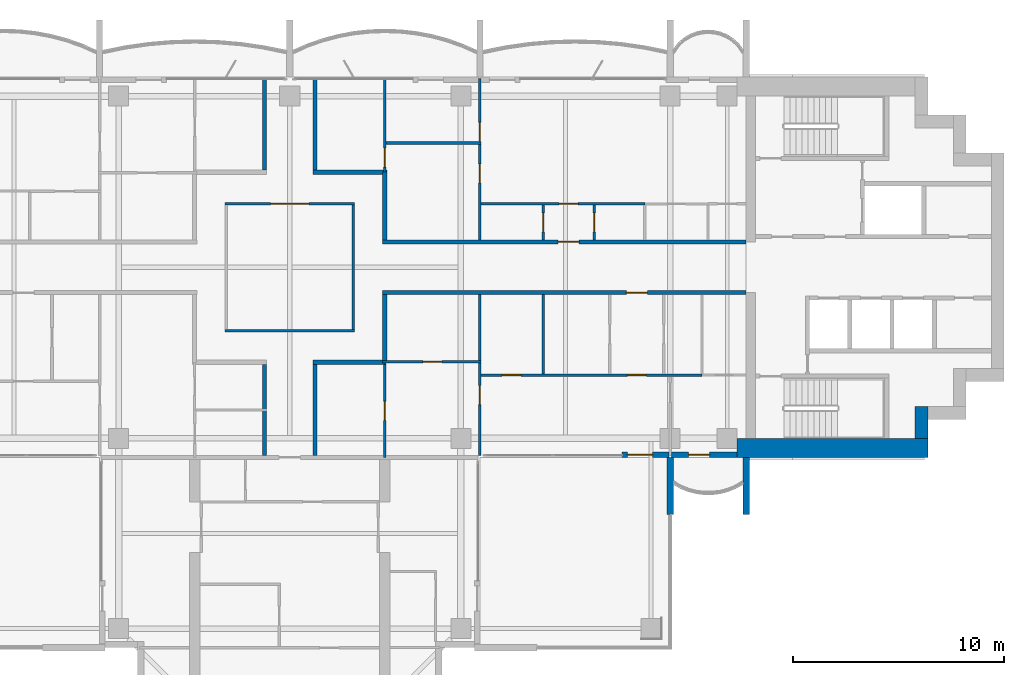
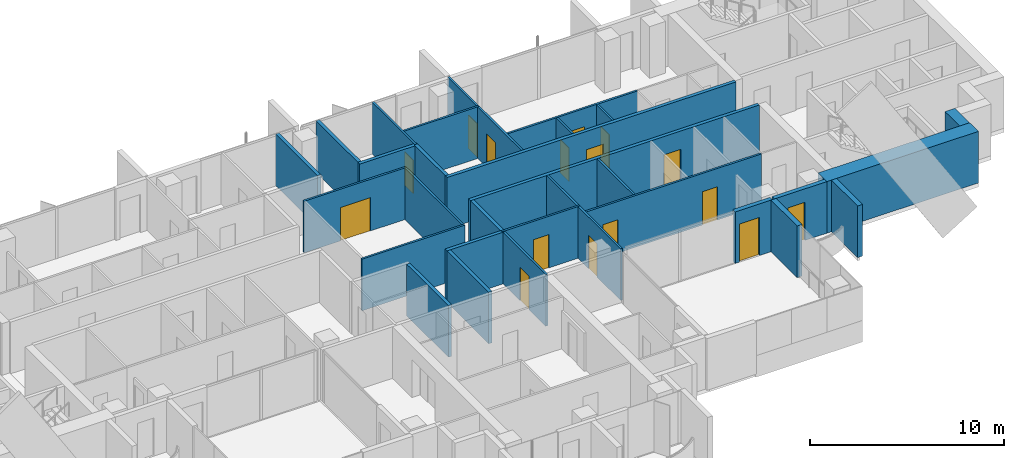
# One storey, part 11 of 17: 30 walls, 16 doors, 16 openings.
"""IFC4 building model written with IfcOpenShell, lengths in metres."""

from ifc_helpers import new_model, si_unit, direction, frame, frame_2d, origin, place, context, subcontext, project, spatial, rectangle, extrude, material, layer, layer_set, type_object, element, fill, save


model = new_model("IFC4")

# Units and contexts
model_context = context("Model", 3, precision=1e-05, world=origin(), true_north=direction((0.0, 1.0)))
body_context = subcontext(model_context, "Body", "Model", "MODEL_VIEW")
ifc_project = project(units=[si_unit("LENGTHUNIT", "METRE"), si_unit("AREAUNIT", "SQUARE_METRE"), si_unit("VOLUMEUNIT", "CUBIC_METRE"), si_unit("PLANEANGLEUNIT", "RADIAN"), si_unit("MASSUNIT", "GRAM", prefix="KILO")], contexts=[model_context])

# Site, building, storey
site_placement = place(None, origin())
site = spatial("IfcSite", under=ifc_project, at=site_placement, CompositionType="ELEMENT")
building_placement = place(site_placement, origin())
building = spatial("IfcBuilding", under=site, at=building_placement, Name="Perihelion Cross Residences", CompositionType="ELEMENT")
storey_placement = place(building_placement, frame((0.0, 0.0, 208.60009765625)))
storey = spatial("IfcBuildingStorey", under=building, at=storey_placement, Name="L52", CompositionType="ELEMENT", Elevation=208.60009765625)

# Wall, opening, door
ifc_material_1 = material(Name="Plasterboard partition")
ifc_layer_1 = layer(ifc_material_1, 0.199951171875)
ifc_layer_set_1 = layer_set([ifc_layer_1], Name="Apartment separation wall 200")
wall_type_1 = type_object("IfcWallType", Name="Apartment separation wall 200", PredefinedType="PARTITIONING", material=ifc_layer_set_1)
wall_1_placement = place(storey_placement, frame((4.39990234375, 1.199951171875, 0.0), z_axis=(0.0, 0.0, 1.0), x_axis=(1.0, 0.0, 0.0)))
wall_1 = element("IfcWall", 1, at=wall_1_placement, inside=storey, type_object=wall_type_1, Name="Partition L52 W005", PredefinedType="PARTITIONING", context=body_context, shape_type="SweptSolid", body=[
    extrude(rectangle(XDim=17.2001953125, YDim=0.199951171875, at=frame_2d((8.60009765625, 0.0))), origin(), (0.0, 0.0, 1.0), 3.25),
])
opening_1_placement = place(wall_1_placement, frame((8.300048828125, 0.0, 0.0)))
opening_1 = element("IfcOpeningElement", 2, at=opening_1_placement, cuts=wall_1, Name="Opening L52.A41", PredefinedType="OPENING", context=body_context, shape_type="SweptSolid", body=[
    extrude(rectangle(XDim=1.0, YDim=2.10009765625, at=frame_2d((0.5, 1.050048828125))), frame((0.0, 0.10986328125, 0.0), z_axis=(0.0, -1.0, 0.0), x_axis=(1.0, 0.0, 0.0)), (0.0, 0.0, 1.0), 0.219970703125),
])
ifc_material_2 = material(Name="Timber door leaf", Category="wood")
door_type_1 = type_object("IfcDoorType", Name="Flat entrance door 1000 x 2100", OperationType="SINGLE_SWING_LEFT", PredefinedType="DOOR", material=ifc_material_2)
door_1_placement = place(opening_1_placement, origin())
door_1 = element("IfcDoor", 3, at=door_1_placement, inside=storey, type_object=door_type_1, Name="Door L52.A41", OperationType="SINGLE_SWING_RIGHT", OverallHeight=2.10009765625, OverallWidth=1.0, PredefinedType="DOOR", context=body_context, shape_type="SweptSolid", body=[
    extrude(rectangle(XDim=1.0, YDim=2.10009765625, at=frame_2d((0.5, 1.050048828125))), frame((0.0, 0.02490234375, 0.0), z_axis=(0.0, -1.0, 0.0), x_axis=(1.0, 0.0, 0.0)), (0.0, 0.0, 1.0), 0.050048828125),
])
fill(opening_1, door_1)

# Walls
wall_2_placement = place(storey_placement, frame((4.5, 4.5, 0.0), z_axis=(0.0, 0.0, 1.0), x_axis=(0.0, -1.0, 0.0)))
element("IfcWall", 4, at=wall_2_placement, inside=storey, type_object=wall_type_1, Name="Partition L52 W006", PredefinedType="PARTITIONING", context=body_context, shape_type="SweptSolid", body=[
    extrude(rectangle(XDim=3.199951171875, YDim=0.199951171875, at=frame_2d((1.60009765625, 0.0))), origin(), (0.0, 0.0, 1.0), 3.25),
])
wall_3_placement = place(storey_placement, frame((1.199951171875, 8.919921875, 0.0), z_axis=(0.0, 0.0, 1.0), x_axis=(0.0, -1.0, 0.0)))
element("IfcWall", 5, at=wall_3_placement, inside=storey, type_object=wall_type_1, Name="Partition L52 W007", PredefinedType="PARTITIONING", context=body_context, shape_type="SweptSolid", body=[
    extrude(rectangle(XDim=4.31982421875, YDim=0.199951171875, at=frame_2d((2.159912109375, 0.0))), origin(), (0.0, 0.0, 1.0), 3.25),
])
wall_4_placement = place(storey_placement, frame((1.10009765625, 4.5, 0.0), z_axis=(0.0, 0.0, 1.0), x_axis=(1.0, 0.0, 0.0)))
element("IfcWall", 6, at=wall_4_placement, inside=storey, type_object=wall_type_1, Name="Partition L52 W008", PredefinedType="PARTITIONING", context=body_context, shape_type="SweptSolid", body=[
    extrude(rectangle(XDim=3.5, YDim=0.199951171875, at=frame_2d((1.75, 0.0))), origin(), (0.0, 0.0, 1.0), 3.25),
])

# Wall, opening, door
wall_5_placement = place(storey_placement, frame((21.60009765625, -1.199951171875, 0.0), z_axis=(0.0, 0.0, 1.0), x_axis=(-1.0, 0.0, 0.0)))
wall_5 = element("IfcWall", 7, at=wall_5_placement, inside=storey, type_object=wall_type_1, Name="Partition L52 W009", PredefinedType="PARTITIONING", context=body_context, shape_type="SweptSolid", body=[
    extrude(rectangle(XDim=17.2001953125, YDim=0.199951171875, at=frame_2d((8.60009765625, 0.0))), origin(), (0.0, 0.0, 1.0), 3.25),
])
opening_2_placement = place(wall_5_placement, frame((4.675048828125, 0.0, 0.0)))
opening_2 = element("IfcOpeningElement", 8, at=opening_2_placement, cuts=wall_5, Name="Opening L52.A42", PredefinedType="OPENING", context=body_context, shape_type="SweptSolid", body=[
    extrude(rectangle(XDim=1.0, YDim=2.10009765625, at=frame_2d((0.5, 1.050048828125))), frame((0.0, 0.10986328125, 0.0), z_axis=(0.0, -1.0, 0.0), x_axis=(1.0, 0.0, 0.0)), (0.0, 0.0, 1.0), 0.219970703125),
])
door_2_placement = place(opening_2_placement, origin())
door_2 = element("IfcDoor", 9, at=door_2_placement, inside=storey, type_object=door_type_1, Name="Door L52.A42", OperationType="SINGLE_SWING_RIGHT", OverallHeight=2.10009765625, OverallWidth=1.0, PredefinedType="DOOR", context=body_context, shape_type="SweptSolid", body=[
    extrude(rectangle(XDim=1.0, YDim=2.10009765625, at=frame_2d((0.5, 1.050048828125))), frame((0.0, 0.02490234375, 0.0), z_axis=(0.0, -1.0, 0.0), x_axis=(1.0, 0.0, 0.0)), (0.0, 0.0, 1.0), 0.050048828125),
])
fill(opening_2, door_2)

# Walls
wall_6_placement = place(storey_placement, frame((4.5, -1.300048828125, 0.0), z_axis=(0.0, 0.0, 1.0), x_axis=(0.0, -1.0, 0.0)))
element("IfcWall", 10, at=wall_6_placement, inside=storey, type_object=wall_type_1, Name="Partition L52 W010", PredefinedType="PARTITIONING", context=body_context, shape_type="SweptSolid", body=[
    extrude(rectangle(XDim=3.115966796875, YDim=0.199951171875, at=frame_2d((1.55810546875, 0.0))), origin(), (0.0, 0.0, 1.0), 3.25),
])
wall_7_placement = place(storey_placement, frame((4.56005859375, -4.5, 0.0), z_axis=(0.0, 0.0, 1.0), x_axis=(-1.0, 0.0, 0.0)))
element("IfcWall", 11, at=wall_7_placement, inside=storey, type_object=wall_type_1, Name="Partition L52 W011", PredefinedType="PARTITIONING", context=body_context, shape_type="SweptSolid", body=[
    extrude(rectangle(XDim=3.4599609375, YDim=0.199951171875, at=frame_2d((1.72998046875, 0.0))), origin(), (0.0, 0.0, 1.0), 3.25),
])
wall_8_placement = place(storey_placement, frame((1.199951171875, -4.60009765625, 0.0), z_axis=(0.0, 0.0, 1.0), x_axis=(0.0, -1.0, 0.0)))
element("IfcWall", 12, at=wall_8_placement, inside=storey, type_object=wall_type_1, Name="Partition L52 W012", PredefinedType="PARTITIONING", context=body_context, shape_type="SweptSolid", body=[
    extrude(rectangle(XDim=4.2998046875, YDim=0.199951171875, at=frame_2d((2.14990234375, 0.0))), origin(), (0.0, 0.0, 1.0), 3.25),
])
wall_9_placement = place(storey_placement, frame((-1.199951171875, 4.60009765625, 0.0), z_axis=(0.0, 0.0, 1.0), x_axis=(0.0, 1.0, 0.0)))
element("IfcWall", 13, at=wall_9_placement, inside=storey, type_object=wall_type_1, Name="Partition L52 W016", PredefinedType="PARTITIONING", context=body_context, shape_type="SweptSolid", body=[
    extrude(rectangle(XDim=4.31982421875, YDim=0.199951171875, at=frame_2d((2.159912109375, 0.0))), origin(), (0.0, 0.0, 1.0), 3.25),
])
wall_10_placement = place(storey_placement, frame((-1.199951171875, -8.89990234375, 0.0), z_axis=(0.0, 0.0, 1.0), x_axis=(0.0, 1.0, 0.0)))
element("IfcWall", 14, at=wall_10_placement, inside=storey, type_object=wall_type_1, Name="Partition L52 W019", PredefinedType="PARTITIONING", context=body_context, shape_type="SweptSolid", body=[
    extrude(rectangle(XDim=4.2998046875, YDim=0.199951171875, at=frame_2d((2.14990234375, 0.0))), origin(), (0.0, 0.0, 1.0), 3.25),
])

# Wall, opening, door
ifc_material_3 = material(Name="Concrete C30/37, bronze-clad", Category="concrete")
ifc_layer_2 = layer(ifc_material_3, 0.25)
ifc_layer_set_2 = layer_set([ifc_layer_2], Name="Bronze-clad pier wall 250")
wall_type_2 = type_object("IfcWallType", Name="Bronze-clad pier wall 250", PredefinedType="SOLIDWALL", material=ifc_layer_set_2)
wall_11_placement = place(storey_placement, frame((15.72509765625, -8.875, 0.0), z_axis=(0.0, 0.0, 1.0), x_axis=(1.0, 0.0, 0.0)))
wall_11 = element("IfcWall", 15, at=wall_11_placement, inside=storey, type_object=wall_type_2, Name="Wall FW1 L52 east side south bay 1 pier", PredefinedType="SOLIDWALL", context=body_context, shape_type="SweptSolid", body=[
    extrude(rectangle(XDim=2.21484375, YDim=0.25, at=frame_2d((1.107421875, 0.0))), origin(), (0.0, 0.0, 1.0), 3.25),
])
opening_3_placement = place(wall_11_placement, frame((0.25, 0.0, 0.0)))
opening_3 = element("IfcOpeningElement", 16, at=opening_3_placement, cuts=wall_11, Name="Opening L52.E13", PredefinedType="OPENING", context=body_context, shape_type="SweptSolid", body=[
    extrude(rectangle(XDim=1.199951171875, YDim=2.39990234375, at=frame_2d((0.60009765625, 1.199951171875))), frame((0.0, 0.135009765625, 0.0), z_axis=(0.0, -1.0, 0.0), x_axis=(1.0, 0.0, 0.0)), (0.0, 0.0, 1.0), 0.27001953125),
])
ifc_material_4 = material(Name="Bronze anodised aluminium, glazed", Category="aluminium")
door_type_2 = type_object("IfcDoorType", Name="Balcony door 1200 x 2400", OperationType="NOTDEFINED", PredefinedType="DOOR", material=ifc_material_4)
door_3_placement = place(opening_3_placement, origin())
door_3 = element("IfcDoor", 17, at=door_3_placement, inside=storey, type_object=door_type_2, Name="Door L52.E13 east side south bay 1", OperationType="SINGLE_SWING_LEFT", OverallHeight=2.39990234375, OverallWidth=1.199951171875, PredefinedType="DOOR", context=body_context, shape_type="SweptSolid", body=[
    extrude(rectangle(XDim=1.199951171875, YDim=2.39990234375, at=frame_2d((0.60009765625, 1.199951171875))), frame((0.0, 0.02490234375, 0.0), z_axis=(0.0, -1.0, 0.0), x_axis=(1.0, 0.0, 0.0)), (0.0, 0.0, 1.0), 0.050048828125),
])
fill(opening_3, door_3)

wall_12_placement = place(storey_placement, frame((18.06005859375, -8.875, 0.0), z_axis=(0.0, 0.0, 1.0), x_axis=(1.0, 0.0, 0.0)))
wall_12 = element("IfcWall", 18, at=wall_12_placement, inside=storey, type_object=wall_type_2, Name="Wall FW1 L52 east side south bay 2 pier", PredefinedType="SOLIDWALL", context=body_context, shape_type="SweptSolid", body=[
    extrude(rectangle(XDim=3.114990234375, YDim=0.25, at=frame_2d((1.5576171875, 0.0))), origin(), (0.0, 0.0, 1.0), 3.25),
])
opening_4_placement = place(wall_12_placement, frame((0.81494140625, 0.0, 0.0)))
opening_4 = element("IfcOpeningElement", 19, at=opening_4_placement, cuts=wall_12, Name="Opening L52.E14", PredefinedType="OPENING", context=body_context, shape_type="SweptSolid", body=[
    extrude(rectangle(XDim=1.0, YDim=2.39990234375, at=frame_2d((0.5, 1.199951171875))), frame((0.0, 0.135009765625, 0.0), z_axis=(0.0, -1.0, 0.0), x_axis=(1.0, 0.0, 0.0)), (0.0, 0.0, 1.0), 0.27001953125),
])
ifc_material_5 = material(Name="Bronze anodised aluminium, glazed", Category="aluminium")
door_type_3 = type_object("IfcDoorType", Name="Balcony door 1000 x 2400", OperationType="NOTDEFINED", PredefinedType="DOOR", material=ifc_material_5)
door_4_placement = place(opening_4_placement, origin())
door_4 = element("IfcDoor", 20, at=door_4_placement, inside=storey, type_object=door_type_3, Name="Door L52.E14 east side south bay 2", OperationType="SINGLE_SWING_RIGHT", OverallHeight=2.39990234375, OverallWidth=1.0, PredefinedType="DOOR", context=body_context, shape_type="SweptSolid", body=[
    extrude(rectangle(XDim=1.0, YDim=2.39990234375, at=frame_2d((0.5, 1.199951171875))), frame((0.0, 0.02490234375, 0.0), z_axis=(0.0, -1.0, 0.0), x_axis=(1.0, 0.0, 0.0)), (0.0, 0.0, 1.0), 0.050048828125),
])
fill(opening_4, door_4)

# Walls
ifc_material_6 = material(Name="Concrete C60/75", Category="concrete")
ifc_layer_3 = layer(ifc_material_6, 0.60009765625)
ifc_layer_set_3 = layer_set([ifc_layer_3], Name="Core wall, outer 600")
wall_type_3 = type_object("IfcWallType", Name="Core wall, outer 600", PredefinedType="SHEAR", material=ifc_layer_set_3)
wall_13_placement = place(storey_placement, frame((29.89990234375, -8.10009765625, 0.0), z_axis=(0.0, 0.0, 1.0), x_axis=(0.0, 1.0, 0.0)))
element("IfcWall", 21, at=wall_13_placement, inside=storey, type_object=wall_type_3, Name="East core core wall, outer", PredefinedType="SHEAR", context=body_context, shape_type="SweptSolid", body=[
    extrude(rectangle(XDim=1.5, YDim=0.60009765625, at=frame_2d((0.75, 0.0))), origin(), (0.0, 0.0, 1.0), 3.25),
])
ifc_material_7 = material(Name="Concrete C60/75", Category="concrete")
ifc_layer_4 = layer(ifc_material_7, 0.89990234375)
ifc_layer_set_4 = layer_set([ifc_layer_4], Name="Core wall, outer 900")
wall_type_4 = type_object("IfcWallType", Name="Core wall, outer 900", PredefinedType="SHEAR", material=ifc_layer_set_4)
wall_14_placement = place(storey_placement, frame((21.175048828125, -8.550048828125, 0.0), z_axis=(0.0, 0.0, 1.0), x_axis=(1.0, 0.0, 0.0)))
element("IfcWall", 22, at=wall_14_placement, inside=storey, type_object=wall_type_4, Name="East core core wall, outer", PredefinedType="SHEAR", context=body_context, shape_type="SweptSolid", body=[
    extrude(rectangle(XDim=9.02490234375, YDim=0.89990234375, at=frame_2d((4.512451171875, 0.0))), origin(), (0.0, 0.0, 1.0), 3.25),
])
ifc_material_8 = material(Name="Plasterboard partition")
ifc_layer_5 = layer(ifc_material_8, 0.1201171875)
ifc_layer_set_5 = layer_set([ifc_layer_5], Name="Partition wall 120")
wall_type_5 = type_object("IfcWallType", Name="Partition wall 120", PredefinedType="PARTITIONING", material=ifc_layer_set_5)
wall_15_placement = place(storey_placement, frame((-3.06005859375, -3.0, 0.0), z_axis=(0.0, 0.0, 1.0), x_axis=(1.0, 0.0, 0.0)))
element("IfcWall", 23, at=wall_15_placement, inside=storey, type_object=wall_type_5, Name="Partition L52 W001", PredefinedType="PARTITIONING", context=body_context, shape_type="SweptSolid", body=[
    extrude(rectangle(XDim=6.1201171875, YDim=0.1201171875, at=frame_2d((3.06005859375, 0.0))), origin(), (0.0, 0.0, 1.0), 3.25),
])
wall_16_placement = place(storey_placement, frame((3.0, -2.93994140625, 0.0), z_axis=(0.0, 0.0, 1.0), x_axis=(0.0, 1.0, 0.0)))
element("IfcWall", 24, at=wall_16_placement, inside=storey, type_object=wall_type_5, Name="Partition L52 W002", PredefinedType="PARTITIONING", context=body_context, shape_type="SweptSolid", body=[
    extrude(rectangle(XDim=5.8798828125, YDim=0.1201171875, at=frame_2d((2.93994140625, 0.0))), origin(), (0.0, 0.0, 1.0), 3.25),
])

# Wall, opening, door
wall_17_placement = place(storey_placement, frame((3.06005859375, 3.0, 0.0), z_axis=(0.0, 0.0, 1.0), x_axis=(-1.0, 0.0, 0.0)))
wall_17 = element("IfcWall", 25, at=wall_17_placement, inside=storey, type_object=wall_type_5, Name="Partition L52 W003", PredefinedType="PARTITIONING", context=body_context, shape_type="SweptSolid", body=[
    extrude(rectangle(XDim=6.1201171875, YDim=0.1201171875, at=frame_2d((3.06005859375, 0.0))), origin(), (0.0, 0.0, 1.0), 3.25),
])
opening_5_placement = place(wall_17_placement, frame((2.159912109375, 0.0, 0.0)))
opening_5 = element("IfcOpeningElement", 26, at=opening_5_placement, cuts=wall_17, Name="Opening L52.A01", PredefinedType="OPENING", context=body_context, shape_type="SweptSolid", body=[
    extrude(rectangle(XDim=1.800048828125, YDim=2.10009765625, at=frame_2d((0.89990234375, 1.050048828125))), frame((0.0, 0.070068359375, 0.0), z_axis=(0.0, -1.0, 0.0), x_axis=(1.0, 0.0, 0.0)), (0.0, 0.0, 1.0), 0.14013671875),
])
ifc_material_9 = material(Name="Glazed timber door leaf", Category="wood")
door_type_4 = type_object("IfcDoorType", Name="Interior double leaf door 1800 x 2100", OperationType="DOUBLE_DOOR_SINGLE_SWING", PredefinedType="DOOR", material=ifc_material_9)
door_5_placement = place(opening_5_placement, origin())
door_5 = element("IfcDoor", 27, at=door_5_placement, inside=storey, type_object=door_type_4, Name="Door L52.A01", OperationType="SINGLE_SWING_LEFT", OverallHeight=2.10009765625, OverallWidth=1.800048828125, PredefinedType="DOOR", context=body_context, shape_type="SweptSolid", body=[
    extrude(rectangle(XDim=1.800048828125, YDim=2.10009765625, at=frame_2d((0.89990234375, 1.050048828125))), frame((0.0, 0.02490234375, 0.0), z_axis=(0.0, -1.0, 0.0), x_axis=(1.0, 0.0, 0.0)), (0.0, 0.0, 1.0), 0.050048828125),
])
fill(opening_5, door_5)

wall_18_placement = place(storey_placement, frame((12.0, 2.93994140625, 0.0), z_axis=(0.0, 0.0, 1.0), x_axis=(0.0, -1.0, 0.0)))
wall_18 = element("IfcWall", 28, at=wall_18_placement, inside=storey, type_object=wall_type_5, Name="Partition L52 W022", PredefinedType="PARTITIONING", context=body_context, shape_type="SweptSolid", body=[
    extrude(rectangle(XDim=1.639892578125, YDim=0.1201171875, at=frame_2d((0.81982421875, 0.0))), origin(), (0.0, 0.0, 1.0), 3.25),
])
opening_6_placement = place(wall_18_placement, frame((0.3701171875, 0.0, 0.0)))
opening_6 = element("IfcOpeningElement", 29, at=opening_6_placement, cuts=wall_18, Name="Opening L52.A05", PredefinedType="OPENING", context=body_context, shape_type="SweptSolid", body=[
    extrude(rectangle(XDim=0.89990234375, YDim=2.10009765625, at=frame_2d((0.449951171875, 1.050048828125))), frame((0.0, 0.070068359375, 0.0), z_axis=(0.0, -1.0, 0.0), x_axis=(1.0, 0.0, 0.0)), (0.0, 0.0, 1.0), 0.14013671875),
])
ifc_material_10 = material(Name="Timber door leaf", Category="wood")
door_type_5 = type_object("IfcDoorType", Name="Interior room door 900 x 2100", OperationType="SINGLE_SWING_LEFT", PredefinedType="DOOR", material=ifc_material_10)
door_6_placement = place(opening_6_placement, origin())
door_6 = element("IfcDoor", 30, at=door_6_placement, inside=storey, type_object=door_type_5, Name="Door L52.A05", OperationType="SINGLE_SWING_RIGHT", OverallHeight=2.10009765625, OverallWidth=0.89990234375, PredefinedType="DOOR", context=body_context, shape_type="SweptSolid", body=[
    extrude(rectangle(XDim=0.89990234375, YDim=2.10009765625, at=frame_2d((0.449951171875, 1.050048828125))), frame((0.0, 0.02490234375, 0.0), z_axis=(0.0, -1.0, 0.0), x_axis=(1.0, 0.0, 0.0)), (0.0, 0.0, 1.0), 0.050048828125),
])
fill(opening_6, door_6)

wall_19_placement = place(storey_placement, frame((8.93994140625, 3.0, 0.0), z_axis=(0.0, 0.0, 1.0), x_axis=(1.0, 0.0, 0.0)))
wall_19 = element("IfcWall", 31, at=wall_19_placement, inside=storey, type_object=wall_type_5, Name="Partition L52 W023", PredefinedType="PARTITIONING", context=body_context, shape_type="SweptSolid", body=[
    extrude(rectangle(XDim=7.860107421875, YDim=0.1201171875, at=frame_2d((3.93017578125, 0.0))), origin(), (0.0, 0.0, 1.0), 3.25),
])
opening_7_placement = place(wall_19_placement, frame((3.81005859375, 0.0, 0.0)))
opening_7 = element("IfcOpeningElement", 32, at=opening_7_placement, cuts=wall_19, Name="Opening L52.A08", PredefinedType="OPENING", context=body_context, shape_type="SweptSolid", body=[
    extrude(rectangle(XDim=0.89990234375, YDim=2.10009765625, at=frame_2d((0.449951171875, 1.050048828125))), frame((0.0, 0.070068359375, 0.0), z_axis=(0.0, -1.0, 0.0), x_axis=(1.0, 0.0, 0.0)), (0.0, 0.0, 1.0), 0.14013671875),
])
door_7_placement = place(opening_7_placement, origin())
door_7 = element("IfcDoor", 33, at=door_7_placement, inside=storey, type_object=door_type_5, Name="Door L52.A08", OperationType="SINGLE_SWING_LEFT", OverallHeight=2.10009765625, OverallWidth=0.89990234375, PredefinedType="DOOR", context=body_context, shape_type="SweptSolid", body=[
    extrude(rectangle(XDim=0.89990234375, YDim=2.10009765625, at=frame_2d((0.449951171875, 1.050048828125))), frame((0.0, 0.02490234375, 0.0), z_axis=(0.0, -1.0, 0.0), x_axis=(1.0, 0.0, 0.0)), (0.0, 0.0, 1.0), 0.050048828125),
])
fill(opening_7, door_7)

# Wall, openings, doors
wall_20_placement = place(storey_placement, frame((9.0, 1.300048828125, 0.0), z_axis=(0.0, 0.0, 1.0), x_axis=(0.0, 1.0, 0.0)))
wall_20 = element("IfcWall", 34, at=wall_20_placement, inside=storey, type_object=wall_type_5, Name="Partition L52 W024", PredefinedType="PARTITIONING", context=body_context, shape_type="SweptSolid", body=[
    extrude(rectangle(XDim=7.619873046875, YDim=0.1201171875, at=frame_2d((3.81005859375, 0.0))), origin(), (0.0, 0.0, 1.0), 3.25),
])
opening_8_placement = place(wall_20_placement, frame((2.68994140625, 0.0, 0.0)))
opening_8 = element("IfcOpeningElement", 35, at=opening_8_placement, cuts=wall_20, Name="Opening L52.A04", PredefinedType="OPENING", context=body_context, shape_type="SweptSolid", body=[
    extrude(rectangle(XDim=0.89990234375, YDim=2.10009765625, at=frame_2d((0.449951171875, 1.050048828125))), frame((0.0, 0.070068359375, 0.0), z_axis=(0.0, -1.0, 0.0), x_axis=(1.0, 0.0, 0.0)), (0.0, 0.0, 1.0), 0.14013671875),
])
opening_9_placement = place(wall_20_placement, frame((4.64990234375, 0.0, 0.0)))
opening_9 = element("IfcOpeningElement", 36, at=opening_9_placement, cuts=wall_20, Name="Opening L52.A06", PredefinedType="OPENING", context=body_context, shape_type="SweptSolid", body=[
    extrude(rectangle(XDim=0.89990234375, YDim=2.10009765625, at=frame_2d((0.449951171875, 1.050048828125))), frame((0.0, 0.070068359375, 0.0), z_axis=(0.0, -1.0, 0.0), x_axis=(1.0, 0.0, 0.0)), (0.0, 0.0, 1.0), 0.14013671875),
])
door_8_placement = place(opening_8_placement, origin())
door_8 = element("IfcDoor", 37, at=door_8_placement, inside=storey, type_object=door_type_5, Name="Door L52.A04", OperationType="SINGLE_SWING_RIGHT", OverallHeight=2.10009765625, OverallWidth=0.89990234375, PredefinedType="DOOR", context=body_context, shape_type="SweptSolid", body=[
    extrude(rectangle(XDim=0.89990234375, YDim=2.10009765625, at=frame_2d((0.449951171875, 1.050048828125))), frame((0.0, 0.02490234375, 0.0), z_axis=(0.0, -1.0, 0.0), x_axis=(1.0, 0.0, 0.0)), (0.0, 0.0, 1.0), 0.050048828125),
])
fill(opening_8, door_8)
door_9_placement = place(opening_9_placement, origin())
door_9 = element("IfcDoor", 38, at=door_9_placement, inside=storey, type_object=door_type_5, Name="Door L52.A06", OperationType="SINGLE_SWING_RIGHT", OverallHeight=2.10009765625, OverallWidth=0.89990234375, PredefinedType="DOOR", context=body_context, shape_type="SweptSolid", body=[
    extrude(rectangle(XDim=0.89990234375, YDim=2.10009765625, at=frame_2d((0.449951171875, 1.050048828125))), frame((0.0, 0.02490234375, 0.0), z_axis=(0.0, -1.0, 0.0), x_axis=(1.0, 0.0, 0.0)), (0.0, 0.0, 1.0), 0.050048828125),
])
fill(opening_9, door_9)

# Wall, opening, door
wall_21_placement = place(storey_placement, frame((14.39990234375, 2.93994140625, 0.0), z_axis=(0.0, 0.0, 1.0), x_axis=(0.0, -1.0, 0.0)))
wall_21 = element("IfcWall", 39, at=wall_21_placement, inside=storey, type_object=wall_type_5, Name="Partition L52 W025", PredefinedType="PARTITIONING", context=body_context, shape_type="SweptSolid", body=[
    extrude(rectangle(XDim=1.639892578125, YDim=0.1201171875, at=frame_2d((0.81982421875, 0.0))), origin(), (0.0, 0.0, 1.0), 3.25),
])
opening_10_placement = place(wall_21_placement, frame((0.3701171875, 0.0, 0.0)))
opening_10 = element("IfcOpeningElement", 40, at=opening_10_placement, cuts=wall_21, Name="Opening L52.A09", PredefinedType="OPENING", context=body_context, shape_type="SweptSolid", body=[
    extrude(rectangle(XDim=0.89990234375, YDim=2.10009765625, at=frame_2d((0.449951171875, 1.050048828125))), frame((0.0, 0.070068359375, 0.0), z_axis=(0.0, -1.0, 0.0), x_axis=(1.0, 0.0, 0.0)), (0.0, 0.0, 1.0), 0.14013671875),
])
door_10_placement = place(opening_10_placement, origin())
door_10 = element("IfcDoor", 41, at=door_10_placement, inside=storey, type_object=door_type_5, Name="Door L52.A09", OperationType="SINGLE_SWING_LEFT", OverallHeight=2.10009765625, OverallWidth=0.89990234375, PredefinedType="DOOR", context=body_context, shape_type="SweptSolid", body=[
    extrude(rectangle(XDim=0.89990234375, YDim=2.10009765625, at=frame_2d((0.449951171875, 1.050048828125))), frame((0.0, 0.02490234375, 0.0), z_axis=(0.0, -1.0, 0.0), x_axis=(1.0, 0.0, 0.0)), (0.0, 0.0, 1.0), 0.050048828125),
])
fill(opening_10, door_10)

# Wall
wall_22_placement = place(storey_placement, frame((4.43994140625, 5.8798828125, 0.0), z_axis=(0.0, 0.0, 1.0), x_axis=(1.0, 0.0, 0.0)))
element("IfcWall", 42, at=wall_22_placement, inside=storey, type_object=wall_type_5, Name="Partition L52 W030", PredefinedType="PARTITIONING", context=body_context, shape_type="SweptSolid", body=[
    extrude(rectangle(XDim=4.6201171875, YDim=0.1201171875, at=frame_2d((2.31005859375, 0.0))), origin(), (0.0, 0.0, 1.0), 3.25),
])

# Wall, opening, door
wall_23_placement = place(storey_placement, frame((4.5, 4.5, 0.0), z_axis=(0.0, 0.0, 1.0), x_axis=(0.0, 1.0, 0.0)))
wall_23 = element("IfcWall", 43, at=wall_23_placement, inside=storey, type_object=wall_type_5, Name="Partition L52 W031", PredefinedType="PARTITIONING", context=body_context, shape_type="SweptSolid", body=[
    extrude(rectangle(XDim=4.419921875, YDim=0.1201171875, at=frame_2d((2.2099609375, 0.0))), origin(), (0.0, 0.0, 1.0), 3.25),
])
opening_11_placement = place(wall_23_placement, frame((0.239990234375, 0.0, 0.0)))
opening_11 = element("IfcOpeningElement", 44, at=opening_11_placement, cuts=wall_23, Name="Opening L52.A03", PredefinedType="OPENING", context=body_context, shape_type="SweptSolid", body=[
    extrude(rectangle(XDim=0.89990234375, YDim=2.10009765625, at=frame_2d((0.449951171875, 1.050048828125))), frame((0.0, 0.070068359375, 0.0), z_axis=(0.0, -1.0, 0.0), x_axis=(1.0, 0.0, 0.0)), (0.0, 0.0, 1.0), 0.14013671875),
])
door_11_placement = place(opening_11_placement, origin())
door_11 = element("IfcDoor", 45, at=door_11_placement, inside=storey, type_object=door_type_5, Name="Door L52.A03", OperationType="SINGLE_SWING_LEFT", OverallHeight=2.10009765625, OverallWidth=0.89990234375, PredefinedType="DOOR", context=body_context, shape_type="SweptSolid", body=[
    extrude(rectangle(XDim=0.89990234375, YDim=2.10009765625, at=frame_2d((0.449951171875, 1.050048828125))), frame((0.0, 0.02490234375, 0.0), z_axis=(0.0, -1.0, 0.0), x_axis=(1.0, 0.0, 0.0)), (0.0, 0.0, 1.0), 0.050048828125),
])
fill(opening_11, door_11)

# Wall
wall_24_placement = place(storey_placement, frame((12.0, -1.300048828125, 0.0), z_axis=(0.0, 0.0, 1.0), x_axis=(0.0, -1.0, 0.0)))
element("IfcWall", 46, at=wall_24_placement, inside=storey, type_object=wall_type_5, Name="Partition L52 W032", PredefinedType="PARTITIONING", context=body_context, shape_type="SweptSolid", body=[
    extrude(rectangle(XDim=3.739990234375, YDim=0.1201171875, at=frame_2d((1.8701171875, 0.0))), origin(), (0.0, 0.0, 1.0), 3.25),
])

# Wall, openings, doors
wall_25_placement = place(storey_placement, frame((19.5, -5.10009765625, 0.0), z_axis=(0.0, 0.0, 1.0), x_axis=(-1.0, 0.0, 0.0)))
wall_25 = element("IfcWall", 47, at=wall_25_placement, inside=storey, type_object=wall_type_5, Name="Partition L52 W033", PredefinedType="PARTITIONING", context=body_context, shape_type="SweptSolid", body=[
    extrude(rectangle(XDim=10.56005859375, YDim=0.1201171875, at=frame_2d((5.280029296875, 0.0))), origin(), (0.0, 0.0, 1.0), 3.25),
])
opening_12_placement = place(wall_25_placement, frame((8.550048828125, 0.0, 0.0)))
opening_12 = element("IfcOpeningElement", 48, at=opening_12_placement, cuts=wall_25, Name="Opening L52.A11", PredefinedType="OPENING", context=body_context, shape_type="SweptSolid", body=[
    extrude(rectangle(XDim=0.89990234375, YDim=2.10009765625, at=frame_2d((0.449951171875, 1.050048828125))), frame((0.0, 0.070068359375, 0.0), z_axis=(0.0, -1.0, 0.0), x_axis=(1.0, 0.0, 0.0)), (0.0, 0.0, 1.0), 0.14013671875),
])
opening_13_placement = place(wall_25_placement, frame((2.625, 0.0, 0.0)))
opening_13 = element("IfcOpeningElement", 49, at=opening_13_placement, cuts=wall_25, Name="Opening L52.A15", PredefinedType="OPENING", context=body_context, shape_type="SweptSolid", body=[
    extrude(rectangle(XDim=0.89990234375, YDim=2.10009765625, at=frame_2d((0.449951171875, 1.050048828125))), frame((0.0, 0.070068359375, 0.0), z_axis=(0.0, -1.0, 0.0), x_axis=(1.0, 0.0, 0.0)), (0.0, 0.0, 1.0), 0.14013671875),
])
door_12_placement = place(opening_12_placement, origin())
door_12 = element("IfcDoor", 50, at=door_12_placement, inside=storey, type_object=door_type_5, Name="Door L52.A11", OperationType="SINGLE_SWING_LEFT", OverallHeight=2.10009765625, OverallWidth=0.89990234375, PredefinedType="DOOR", context=body_context, shape_type="SweptSolid", body=[
    extrude(rectangle(XDim=0.89990234375, YDim=2.10009765625, at=frame_2d((0.449951171875, 1.050048828125))), frame((0.0, 0.02490234375, 0.0), z_axis=(0.0, -1.0, 0.0), x_axis=(1.0, 0.0, 0.0)), (0.0, 0.0, 1.0), 0.050048828125),
])
fill(opening_12, door_12)
door_13_placement = place(opening_13_placement, origin())
door_13 = element("IfcDoor", 51, at=door_13_placement, inside=storey, type_object=door_type_5, Name="Door L52.A15", OperationType="SINGLE_SWING_LEFT", OverallHeight=2.10009765625, OverallWidth=0.89990234375, PredefinedType="DOOR", context=body_context, shape_type="SweptSolid", body=[
    extrude(rectangle(XDim=0.89990234375, YDim=2.10009765625, at=frame_2d((0.449951171875, 1.050048828125))), frame((0.0, 0.02490234375, 0.0), z_axis=(0.0, -1.0, 0.0), x_axis=(1.0, 0.0, 0.0)), (0.0, 0.0, 1.0), 0.050048828125),
])
fill(opening_13, door_13)

# Wall, opening, door
wall_26_placement = place(storey_placement, frame((9.0, -8.919921875, 0.0), z_axis=(0.0, 0.0, 1.0), x_axis=(0.0, 1.0, 0.0)))
wall_26 = element("IfcWall", 52, at=wall_26_placement, inside=storey, type_object=wall_type_5, Name="Partition L52 W034", PredefinedType="PARTITIONING", context=body_context, shape_type="SweptSolid", body=[
    extrude(rectangle(XDim=7.619873046875, YDim=0.1201171875, at=frame_2d((3.81005859375, 0.0))), origin(), (0.0, 0.0, 1.0), 3.25),
])
opening_14_placement = place(wall_26_placement, frame((2.419921875, 0.0, 0.0)))
opening_14 = element("IfcOpeningElement", 53, at=opening_14_placement, cuts=wall_26, Name="Opening L52.A14", PredefinedType="OPENING", context=body_context, shape_type="SweptSolid", body=[
    extrude(rectangle(XDim=0.89990234375, YDim=2.10009765625, at=frame_2d((0.449951171875, 1.050048828125))), frame((0.0, 0.070068359375, 0.0), z_axis=(0.0, -1.0, 0.0), x_axis=(1.0, 0.0, 0.0)), (0.0, 0.0, 1.0), 0.14013671875),
])
door_14_placement = place(opening_14_placement, origin())
door_14 = element("IfcDoor", 54, at=door_14_placement, inside=storey, type_object=door_type_5, Name="Door L52.A14", OperationType="SINGLE_SWING_RIGHT", OverallHeight=2.10009765625, OverallWidth=0.89990234375, PredefinedType="DOOR", context=body_context, shape_type="SweptSolid", body=[
    extrude(rectangle(XDim=0.89990234375, YDim=2.10009765625, at=frame_2d((0.449951171875, 1.050048828125))), frame((0.0, 0.02490234375, 0.0), z_axis=(0.0, -1.0, 0.0), x_axis=(1.0, 0.0, 0.0)), (0.0, 0.0, 1.0), 0.050048828125),
])
fill(opening_14, door_14)

wall_27_placement = place(storey_placement, frame((9.06005859375, -4.47607421875, 0.0), z_axis=(0.0, 0.0, 1.0), x_axis=(-1.0, 0.0, 0.0)))
wall_27 = element("IfcWall", 55, at=wall_27_placement, inside=storey, type_object=wall_type_5, Name="Partition L52 W040", PredefinedType="PARTITIONING", context=body_context, shape_type="SweptSolid", body=[
    extrude(rectangle(XDim=4.66015625, YDim=0.1201171875, at=frame_2d((2.330078125, 0.0))), origin(), (0.0, 0.0, 1.0), 3.25),
])
opening_15_placement = place(wall_27_placement, frame((1.860107421875, 0.0, 0.0)))
opening_15 = element("IfcOpeningElement", 56, at=opening_15_placement, cuts=wall_27, Name="Opening L52.A12", PredefinedType="OPENING", context=body_context, shape_type="SweptSolid", body=[
    extrude(rectangle(XDim=0.89990234375, YDim=2.10009765625, at=frame_2d((0.449951171875, 1.050048828125))), frame((0.0, 0.070068359375, 0.0), z_axis=(0.0, -1.0, 0.0), x_axis=(1.0, 0.0, 0.0)), (0.0, 0.0, 1.0), 0.14013671875),
])
door_15_placement = place(opening_15_placement, origin())
door_15 = element("IfcDoor", 57, at=door_15_placement, inside=storey, type_object=door_type_5, Name="Door L52.A12", OperationType="SINGLE_SWING_LEFT", OverallHeight=2.10009765625, OverallWidth=0.89990234375, PredefinedType="DOOR", context=body_context, shape_type="SweptSolid", body=[
    extrude(rectangle(XDim=0.89990234375, YDim=2.10009765625, at=frame_2d((0.449951171875, 1.050048828125))), frame((0.0, 0.02490234375, 0.0), z_axis=(0.0, -1.0, 0.0), x_axis=(1.0, 0.0, 0.0)), (0.0, 0.0, 1.0), 0.050048828125),
])
fill(opening_15, door_15)

wall_28_placement = place(storey_placement, frame((4.5, -9.0, 0.0), z_axis=(0.0, 0.0, 1.0), x_axis=(0.0, 1.0, 0.0)))
wall_28 = element("IfcWall", 58, at=wall_28_placement, inside=storey, type_object=wall_type_5, Name="Partition L52 W041", PredefinedType="PARTITIONING", context=body_context, shape_type="SweptSolid", body=[
    extrude(rectangle(XDim=4.39990234375, YDim=0.1201171875, at=frame_2d((2.199951171875, 0.0))), origin(), (0.0, 0.0, 1.0), 3.25),
])
opening_16_placement = place(wall_28_placement, frame((1.75, 0.0, 0.0)))
opening_16 = element("IfcOpeningElement", 59, at=opening_16_placement, cuts=wall_28, Name="Opening L52.A13", PredefinedType="OPENING", context=body_context, shape_type="SweptSolid", body=[
    extrude(rectangle(XDim=0.89990234375, YDim=2.10009765625, at=frame_2d((0.449951171875, 1.050048828125))), frame((0.0, 0.070068359375, 0.0), z_axis=(0.0, -1.0, 0.0), x_axis=(1.0, 0.0, 0.0)), (0.0, 0.0, 1.0), 0.14013671875),
])
door_16_placement = place(opening_16_placement, origin())
door_16 = element("IfcDoor", 60, at=door_16_placement, inside=storey, type_object=door_type_5, Name="Door L52.A13", OperationType="SINGLE_SWING_RIGHT", OverallHeight=2.10009765625, OverallWidth=0.89990234375, PredefinedType="DOOR", context=body_context, shape_type="SweptSolid", body=[
    extrude(rectangle(XDim=0.89990234375, YDim=2.10009765625, at=frame_2d((0.449951171875, 1.050048828125))), frame((0.0, 0.02490234375, 0.0), z_axis=(0.0, -1.0, 0.0), x_axis=(1.0, 0.0, 0.0)), (0.0, 0.0, 1.0), 0.050048828125),
])
fill(opening_16, door_16)

# Walls
ifc_material_11 = material(Name="Precast concrete C50/60", Category="concrete")
ifc_layer_6 = layer(ifc_material_11, 0.300048828125)
ifc_layer_set_6 = layer_set([ifc_layer_6], Name="Precast concrete C50/60 blade wall 300")
wall_type_6 = type_object("IfcWallType", Name="Precast concrete C50/60 blade wall 300", PredefinedType="SOLIDWALL", material=ifc_layer_set_6)
for number, where, z_axis, x_axis, name in (
    (61, (18.0, -9.0, 0.0), (0.0, 0.0, 1.0), (0.0, -1.0, 0.0), "Wall BL1 L52 no. 10"),
    (62, (21.60009765625, -9.0, 0.0), (0.0, 0.0, 1.0), (0.0, -1.0, 0.0), "Wall BL1 L52 no. 12"),
):
    element("IfcWall", number, at=place(storey_placement, frame(where, z_axis=z_axis, x_axis=x_axis)), inside=storey, type_object=wall_type_6, Name=name, PredefinedType="SOLIDWALL", context=body_context, shape_type="SweptSolid", body=[
        extrude(rectangle(XDim=2.699951171875, YDim=0.300048828125, at=frame_2d((1.35009765625, 0.0))), origin(), (0.0, 0.0, 1.0), 3.25),
    ])

save(model, "model.ifc")
